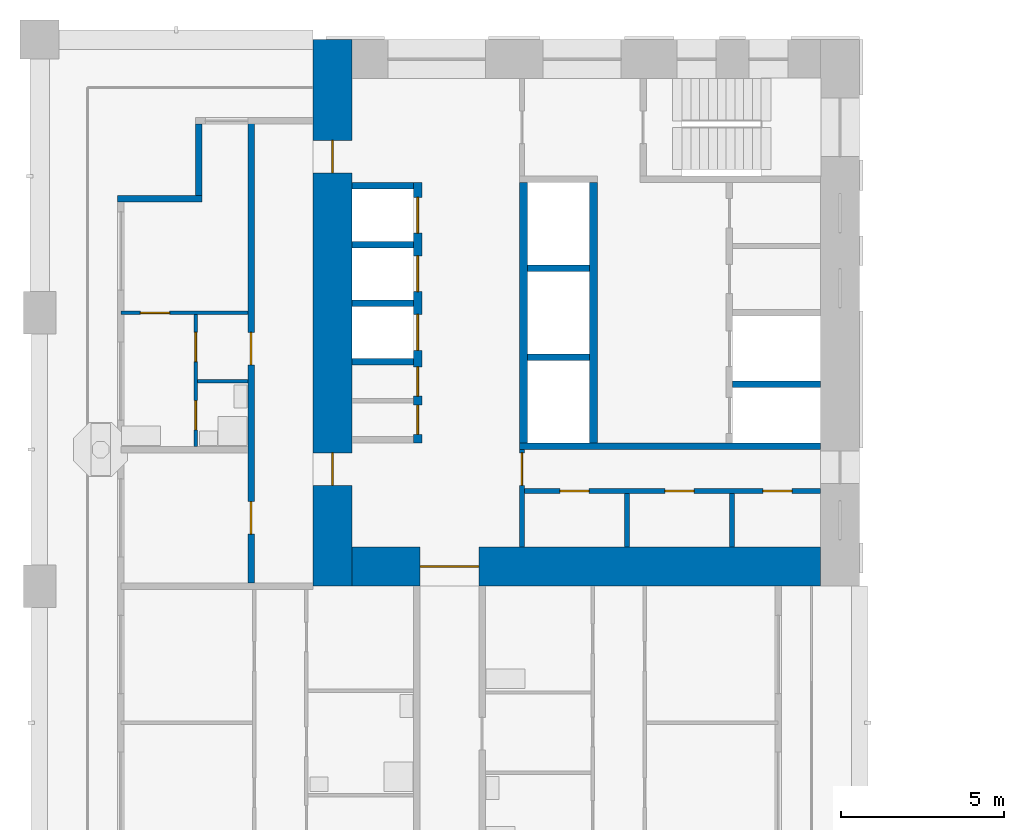
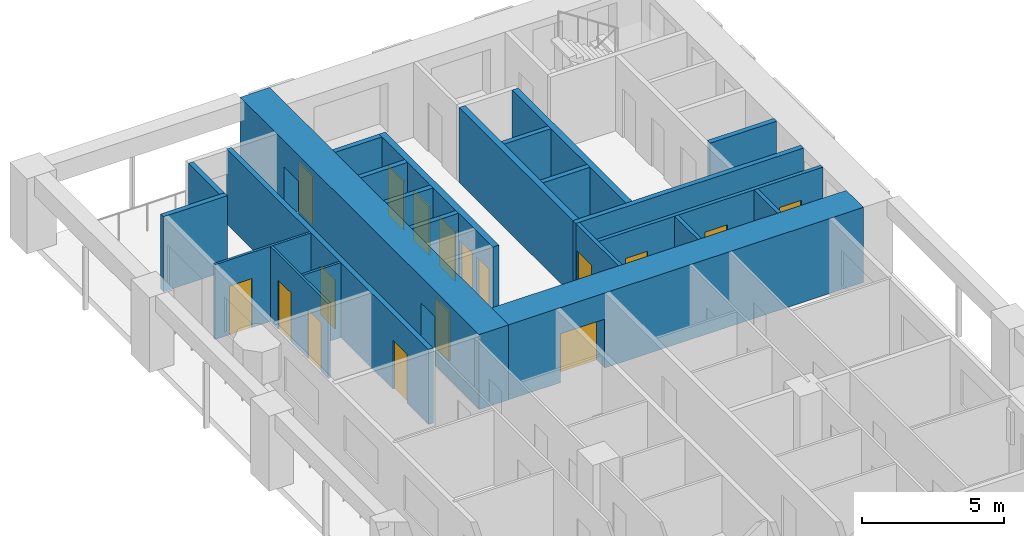
# One storey, part 7 of 19: 23 walls, 17 doors, 17 openings.
"""IFC4 building model written with IfcOpenShell, lengths in metres."""

from ifc_helpers import new_model, si_unit, direction, frame, frame_2d, origin, place, context, subcontext, project, spatial, rectangle, extrude, material, layer, layer_set, type_object, element, fill, save


model = new_model("IFC4")

# Units and contexts
model_context = context("Model", 3, precision=1e-05, world=origin(), true_north=direction((0.0, 1.0)))
body_context = subcontext(model_context, "Body", "Model", "MODEL_VIEW")
ifc_project = project(units=[si_unit("LENGTHUNIT", "METRE"), si_unit("AREAUNIT", "SQUARE_METRE"), si_unit("VOLUMEUNIT", "CUBIC_METRE"), si_unit("PLANEANGLEUNIT", "RADIAN"), si_unit("MASSUNIT", "GRAM", prefix="KILO")], contexts=[model_context])

# Site, building, storey
site_placement = place(None, origin())
site = spatial("IfcSite", under=ifc_project, at=site_placement, CompositionType="ELEMENT")
building_placement = place(site_placement, origin())
building = spatial("IfcBuilding", under=site, at=building_placement, Name="Vermilion Gate Residences", CompositionType="ELEMENT")
storey_placement = place(building_placement, frame((0.0, 0.0, 123.199951171875)))
storey = spatial("IfcBuildingStorey", under=building, at=storey_placement, Name="L31", CompositionType="ELEMENT", Elevation=123.199951171875)

# Wall, opening, door
ifc_material_1 = material(Name="Masonry blockwork", Category="masonry")
ifc_layer_1 = layer(ifc_material_1, 0.14990234375)
ifc_layer_set_1 = layer_set([ifc_layer_1], Name="BLOCKWORK PARTITION 150 EI 120")
wall_type_1 = type_object("IfcWallType", Name="BLOCKWORK PARTITION 150 EI 120", PredefinedType="PARTITIONING", material=ifc_layer_set_1)
wall_1_placement = place(storey_placement, frame((14.824951171875, 46.199951171875, 0.0), z_axis=(0.0, 0.0, 1.0), x_axis=(0.0, -1.0, 0.0)))
wall_1 = element("IfcWall", 1, at=wall_1_placement, inside=storey, type_object=wall_type_1, Name="Core room partition B31-ES-S", PredefinedType="PARTITIONING", context=body_context, shape_type="SweptSolid", body=[
    extrude(rectangle(XDim=3.0, YDim=0.14990234375, at=frame_2d((1.5, 0.0))), origin(), (0.0, 0.0, 1.0), 3.219970703125),
])
opening_1_placement = place(wall_1_placement, frame((0.10009765625, 0.0, 0.0)))
opening_1 = element("IfcOpeningElement", 2, at=opening_1_placement, cuts=wall_1, Name="Opening DK31115", PredefinedType="OPENING", context=body_context, shape_type="SweptSolid", body=[
    extrude(rectangle(XDim=1.0, YDim=2.10009765625, at=frame_2d((0.5, 1.050048828125))), frame((0.0, 0.0849609375, 0.0), z_axis=(0.0, -1.0, 0.0), x_axis=(1.0, 0.0, 0.0)), (0.0, 0.0, 1.0), 0.169921875),
])
ifc_material_2 = material(Name="Steel", Category="steel")
door_type_1 = type_object("IfcDoorType", Name="FIRE DOOR FD60 1000 X 2100", OperationType="SINGLE_SWING_LEFT", PredefinedType="DOOR", material=ifc_material_2)
door_1_placement = place(opening_1_placement, frame((1.0, 0.0, 0.0), z_axis=(0.0, 0.0, 1.0), x_axis=(-1.0, 0.0, 0.0)))
door_1 = element("IfcDoor", 3, at=door_1_placement, inside=storey, type_object=door_type_1, Name="Service corridor door B31", OperationType="SINGLE_SWING_LEFT", OverallHeight=2.10009765625, OverallWidth=1.0, PredefinedType="DOOR", context=body_context, shape_type="SweptSolid", body=[
    extrude(rectangle(XDim=1.0, YDim=2.10009765625, at=frame_2d((0.5, 1.050048828125))), frame((0.0, 0.02490234375, 0.0), z_axis=(0.0, -1.0, 0.0), x_axis=(1.0, 0.0, 0.0)), (0.0, 0.0, 1.0), 0.050048828125),
])
fill(opening_1, door_1)

# Walls
for number, where, z_axis, x_axis, name in (
    (4, (18.054931640625, 44.85009765625, 0.0), (0.0, 0.0, 1.0), (0.0, -1.0, 0.0), "Core room partition B31-ES-P0"),
    (5, (21.284912109375, 44.85009765625, 0.0), (0.0, 0.0, 1.0), (0.0, -1.0, 0.0), "Core room partition B31-ES-P1"),
):
    element("IfcWall", number, at=place(storey_placement, frame(where, z_axis=z_axis, x_axis=x_axis)), inside=storey, type_object=wall_type_1, Name=name, PredefinedType="PARTITIONING", context=body_context, shape_type="SweptSolid", body=[
        extrude(rectangle(XDim=1.650146484375, YDim=0.14990234375, at=frame_2d((0.8251953125, 0.0))), origin(), (0.0, 0.0, 1.0), 3.219970703125),
    ])

# Wall, openings, doors
wall_2_placement = place(storey_placement, frame((14.89990234375, 44.925048828125, 0.0), z_axis=(0.0, 0.0, 1.0), x_axis=(1.0, 0.0, 0.0)))
wall_2 = element("IfcWall", 6, at=wall_2_placement, inside=storey, type_object=wall_type_1, Name="Core room partition B31-ES-W", PredefinedType="PARTITIONING", context=body_context, shape_type="SweptSolid", body=[
    extrude(rectangle(XDim=9.10009765625, YDim=0.14990234375, at=frame_2d((4.550048828125, 0.0))), origin(), (0.0, 0.0, 1.0), 3.219970703125),
])
opening_2_placement = place(wall_2_placement, frame((1.090087890625, 0.0, 0.0)))
opening_2 = element("IfcOpeningElement", 7, at=opening_2_placement, cuts=wall_2, Name="Opening DK31116", PredefinedType="OPENING", context=body_context, shape_type="SweptSolid", body=[
    extrude(rectangle(XDim=0.89990234375, YDim=2.10009765625, at=frame_2d((0.449951171875, 1.050048828125))), frame((0.0, 0.0849609375, 0.0), z_axis=(0.0, -1.0, 0.0), x_axis=(1.0, 0.0, 0.0)), (0.0, 0.0, 1.0), 0.169921875),
])
opening_3_placement = place(wall_2_placement, frame((4.320068359375, 0.0, 0.0)))
opening_3 = element("IfcOpeningElement", 8, at=opening_3_placement, cuts=wall_2, Name="Opening DK31117", PredefinedType="OPENING", context=body_context, shape_type="SweptSolid", body=[
    extrude(rectangle(XDim=0.89990234375, YDim=2.10009765625, at=frame_2d((0.449951171875, 1.050048828125))), frame((0.0, 0.0849609375, 0.0), z_axis=(0.0, -1.0, 0.0), x_axis=(1.0, 0.0, 0.0)), (0.0, 0.0, 1.0), 0.169921875),
])
opening_4_placement = place(wall_2_placement, frame((7.330078125, 0.0, 0.0)))
opening_4 = element("IfcOpeningElement", 9, at=opening_4_placement, cuts=wall_2, Name="Opening DK31118", PredefinedType="OPENING", context=body_context, shape_type="SweptSolid", body=[
    extrude(rectangle(XDim=0.89990234375, YDim=2.10009765625, at=frame_2d((0.449951171875, 1.050048828125))), frame((0.0, 0.0849609375, 0.0), z_axis=(0.0, -1.0, 0.0), x_axis=(1.0, 0.0, 0.0)), (0.0, 0.0, 1.0), 0.169921875),
])
ifc_material_3 = material(Name="Steel", Category="steel")
door_type_2 = type_object("IfcDoorType", Name="SERVICE ROOM DOOR FD60 900 X 2100", OperationType="SINGLE_SWING_LEFT", PredefinedType="DOOR", material=ifc_material_3)
door_2_placement = place(opening_2_placement, frame((0.89990234375, 0.0, 0.0), z_axis=(0.0, 0.0, 1.0), x_axis=(-1.0, 0.0, 0.0)))
door_2 = element("IfcDoor", 10, at=door_2_placement, inside=storey, type_object=door_type_2, Name="Parcel room B31", OperationType="SINGLE_SWING_LEFT", OverallHeight=2.10009765625, OverallWidth=0.89990234375, PredefinedType="DOOR", context=body_context, shape_type="SweptSolid", body=[
    extrude(rectangle(XDim=0.89990234375, YDim=2.10009765625, at=frame_2d((0.449951171875, 1.050048828125))), frame((0.0, 0.02490234375, 0.0), z_axis=(0.0, -1.0, 0.0), x_axis=(1.0, 0.0, 0.0)), (0.0, 0.0, 1.0), 0.050048828125),
])
fill(opening_2, door_2)
door_3_placement = place(opening_3_placement, frame((0.89990234375, 0.0, 0.0), z_axis=(0.0, 0.0, 1.0), x_axis=(-1.0, 0.0, 0.0)))
door_3 = element("IfcDoor", 11, at=door_3_placement, inside=storey, type_object=door_type_2, Name="Cleaner's store B31", OperationType="SINGLE_SWING_RIGHT", OverallHeight=2.10009765625, OverallWidth=0.89990234375, PredefinedType="DOOR", context=body_context, shape_type="SweptSolid", body=[
    extrude(rectangle(XDim=0.89990234375, YDim=2.10009765625, at=frame_2d((0.449951171875, 1.050048828125))), frame((0.0, 0.02490234375, 0.0), z_axis=(0.0, -1.0, 0.0), x_axis=(1.0, 0.0, 0.0)), (0.0, 0.0, 1.0), 0.050048828125),
])
fill(opening_3, door_3)
door_4_placement = place(opening_4_placement, frame((0.89990234375, 0.0, 0.0), z_axis=(0.0, 0.0, 1.0), x_axis=(-1.0, 0.0, 0.0)))
door_4 = element("IfcDoor", 12, at=door_4_placement, inside=storey, type_object=door_type_2, Name="Electrical room B31", OperationType="SINGLE_SWING_LEFT", OverallHeight=2.10009765625, OverallWidth=0.89990234375, PredefinedType="DOOR", context=body_context, shape_type="SweptSolid", body=[
    extrude(rectangle(XDim=0.89990234375, YDim=2.10009765625, at=frame_2d((0.449951171875, 1.050048828125))), frame((0.0, 0.02490234375, 0.0), z_axis=(0.0, -1.0, 0.0), x_axis=(1.0, 0.0, 0.0)), (0.0, 0.0, 1.0), 0.050048828125),
])
fill(opening_4, door_4)

# Walls
ifc_material_4 = material(Name="Insulated steel stud wall with terracotta rainscreen", Category="masonry")
ifc_layer_2 = layer(ifc_material_4, 0.199951171875)
ifc_layer_set_2 = layer_set([ifc_layer_2], Name="EXTERNAL WALL 200 TERRACOTTA RAINSCREEN")
wall_type_2 = type_object("IfcWallType", Name="EXTERNAL WALL 200 TERRACOTTA RAINSCREEN", PredefinedType="SOLIDWALL", material=ifc_layer_set_2)
wall_3_placement = place(storey_placement, frame((4.89990234375, 56.199951171875, 0.0), z_axis=(0.0, 0.0, 1.0), x_axis=(0.0, -1.0, 0.0)))
element("IfcWall", 13, at=wall_3_placement, inside=storey, type_object=wall_type_2, Name="External wall", PredefinedType="SOLIDWALL", context=body_context, shape_type="SweptSolid", body=[
    extrude(rectangle(XDim=2.199951171875, YDim=0.199951171875, at=frame_2d((1.10009765625, 0.0))), origin(), (0.0, 0.0, 1.0), 3.219970703125),
])
wall_4_placement = place(storey_placement, frame((5.0, 53.89990234375, 0.0), z_axis=(0.0, 0.0, 1.0), x_axis=(-1.0, 0.0, 0.0)))
element("IfcWall", 14, at=wall_4_placement, inside=storey, type_object=wall_type_2, Name="External wall", PredefinedType="SOLIDWALL", context=body_context, shape_type="SweptSolid", body=[
    extrude(rectangle(XDim=2.60009765625, YDim=0.199951171875, at=frame_2d((1.300048828125, 0.0))), origin(), (0.0, 0.0, 1.0), 3.219970703125),
])
ifc_material_5 = material(Name="Plasterboard on steel studs", Category="steel")
ifc_layer_3 = layer(ifc_material_5, 0.10009765625)
ifc_layer_set_3 = layer_set([ifc_layer_3], Name="PARTITION 100")
wall_type_3 = type_object("IfcWallType", Name="PARTITION 100", PredefinedType="PARTITIONING", material=ifc_layer_set_3)
wall_5_placement = place(storey_placement, frame((4.85009765625, 48.300048828125, 0.0), z_axis=(0.0, 0.0, 1.0), x_axis=(1.0, 0.0, 0.0)))
element("IfcWall", 15, at=wall_5_placement, inside=storey, type_object=wall_type_3, Name="Partition", PredefinedType="PARTITIONING", context=body_context, shape_type="SweptSolid", body=[
    extrude(rectangle(XDim=1.5498046875, YDim=0.10009765625, at=frame_2d((0.77490234375, 0.0))), origin(), (0.0, 0.0, 1.0), 3.219970703125),
])

# Wall, opening, door
wall_6_placement = place(storey_placement, frame((2.5, 50.39990234375, 0.0), z_axis=(0.0, 0.0, 1.0), x_axis=(1.0, 0.0, 0.0)))
wall_6 = element("IfcWall", 16, at=wall_6_placement, inside=storey, type_object=wall_type_3, Name="Partition", PredefinedType="PARTITIONING", context=body_context, shape_type="SweptSolid", body=[
    extrude(rectangle(XDim=3.89990234375, YDim=0.10009765625, at=frame_2d((1.949951171875, 0.0))), origin(), (0.0, 0.0, 1.0), 3.219970703125),
])
opening_5_placement = place(wall_6_placement, frame((0.60009765625, 0.0, 0.0)))
opening_5 = element("IfcOpeningElement", 17, at=opening_5_placement, cuts=wall_6, Name="Opening DA30017", PredefinedType="OPENING", context=body_context, shape_type="SweptSolid", body=[
    extrude(rectangle(XDim=0.89990234375, YDim=2.10009765625, at=frame_2d((0.449951171875, 1.050048828125))), frame((0.0, 0.06005859375, 0.0), z_axis=(0.0, -1.0, 0.0), x_axis=(1.0, 0.0, 0.0)), (0.0, 0.0, 1.0), 0.1201171875),
])
ifc_material_6 = material(Name="Timber", Category="wood")
door_type_3 = type_object("IfcDoorType", Name="INTERIOR DOOR 900 X 2100", OperationType="SINGLE_SWING_LEFT", PredefinedType="DOOR", material=ifc_material_6)
door_5_placement = place(opening_5_placement, frame((0.89990234375, 0.0, 0.0), z_axis=(0.0, 0.0, 1.0), x_axis=(-1.0, 0.0, 0.0)))
door_5 = element("IfcDoor", 18, at=door_5_placement, inside=storey, type_object=door_type_3, Name="Interior door", OperationType="SINGLE_SWING_RIGHT", OverallHeight=2.10009765625, OverallWidth=0.89990234375, PredefinedType="DOOR", context=body_context, shape_type="SweptSolid", body=[
    extrude(rectangle(XDim=0.89990234375, YDim=2.10009765625, at=frame_2d((0.449951171875, 1.050048828125))), frame((0.0, 0.02490234375, 0.0), z_axis=(0.0, -1.0, 0.0), x_axis=(1.0, 0.0, 0.0)), (0.0, 0.0, 1.0), 0.050048828125),
])
fill(opening_5, door_5)

# Wall, openings, doors
wall_7_placement = place(storey_placement, frame((4.800048828125, 46.300048828125, 0.0), z_axis=(0.0, 0.0, 1.0), x_axis=(0.0, 1.0, 0.0)))
wall_7 = element("IfcWall", 19, at=wall_7_placement, inside=storey, type_object=wall_type_3, Name="Partition", PredefinedType="PARTITIONING", context=body_context, shape_type="SweptSolid", body=[
    extrude(rectangle(XDim=4.050048828125, YDim=0.10009765625, at=frame_2d((2.02490234375, 0.0))), origin(), (0.0, 0.0, 1.0), 3.219970703125),
])
opening_6_placement = place(wall_7_placement, frame((2.60009765625, 0.0, 0.0)))
opening_6 = element("IfcOpeningElement", 20, at=opening_6_placement, cuts=wall_7, Name="Opening DA30018", PredefinedType="OPENING", context=body_context, shape_type="SweptSolid", body=[
    extrude(rectangle(XDim=0.89990234375, YDim=2.10009765625, at=frame_2d((0.449951171875, 1.050048828125))), frame((0.0, 0.06005859375, 0.0), z_axis=(0.0, -1.0, 0.0), x_axis=(1.0, 0.0, 0.0)), (0.0, 0.0, 1.0), 0.1201171875),
])
opening_7_placement = place(wall_7_placement, frame((0.5, 0.0, 0.0)))
opening_7 = element("IfcOpeningElement", 21, at=opening_7_placement, cuts=wall_7, Name="Opening DA30019", PredefinedType="OPENING", context=body_context, shape_type="SweptSolid", body=[
    extrude(rectangle(XDim=0.89990234375, YDim=2.10009765625, at=frame_2d((0.449951171875, 1.050048828125))), frame((0.0, 0.06005859375, 0.0), z_axis=(0.0, -1.0, 0.0), x_axis=(1.0, 0.0, 0.0)), (0.0, 0.0, 1.0), 0.1201171875),
])
door_6_placement = place(opening_6_placement, origin())
door_6 = element("IfcDoor", 22, at=door_6_placement, inside=storey, type_object=door_type_3, Name="Interior door", OperationType="SINGLE_SWING_RIGHT", OverallHeight=2.10009765625, OverallWidth=0.89990234375, PredefinedType="DOOR", context=body_context, shape_type="SweptSolid", body=[
    extrude(rectangle(XDim=0.89990234375, YDim=2.10009765625, at=frame_2d((0.449951171875, 1.050048828125))), frame((0.0, 0.02490234375, 0.0), z_axis=(0.0, -1.0, 0.0), x_axis=(1.0, 0.0, 0.0)), (0.0, 0.0, 1.0), 0.050048828125),
])
fill(opening_6, door_6)
door_7_placement = place(opening_7_placement, frame((0.89990234375, 0.0, 0.0), z_axis=(0.0, 0.0, 1.0), x_axis=(-1.0, 0.0, 0.0)))
door_7 = element("IfcDoor", 23, at=door_7_placement, inside=storey, type_object=door_type_3, Name="Interior door", OperationType="SINGLE_SWING_RIGHT", OverallHeight=2.10009765625, OverallWidth=0.89990234375, PredefinedType="DOOR", context=body_context, shape_type="SweptSolid", body=[
    extrude(rectangle(XDim=0.89990234375, YDim=2.10009765625, at=frame_2d((0.449951171875, 1.050048828125))), frame((0.0, 0.02490234375, 0.0), z_axis=(0.0, -1.0, 0.0), x_axis=(1.0, 0.0, 0.0)), (0.0, 0.0, 1.0), 0.050048828125),
])
fill(opening_7, door_7)

ifc_material_7 = material(Name="Fire-rated plasterboard on steel studs", Category="steel")
ifc_layer_4 = layer(ifc_material_7, 0.199951171875)
ifc_layer_set_4 = layer_set([ifc_layer_4], Name="PARTY WALL 200 EI 120")
wall_type_4 = type_object("IfcWallType", Name="PARTY WALL 200 EI 120", PredefinedType="PARTITIONING", material=ifc_layer_set_4)
wall_8_placement = place(storey_placement, frame((6.5, 42.10009765625, 0.0), z_axis=(0.0, 0.0, 1.0), x_axis=(0.0, 1.0, 0.0)))
wall_8 = element("IfcWall", 24, at=wall_8_placement, inside=storey, type_object=wall_type_4, Name="Party and corridor wall", PredefinedType="PARTITIONING", context=body_context, shape_type="SweptSolid", body=[
    extrude(rectangle(XDim=14.199951171875, YDim=0.199951171875, at=frame_2d((7.10009765625, 0.0))), origin(), (0.0, 0.0, 1.0), 3.219970703125),
])
opening_8_placement = place(wall_8_placement, frame((1.5, 0.0, 0.0)))
opening_8 = element("IfcOpeningElement", 25, at=opening_8_placement, cuts=wall_8, Name="Opening DA30020", PredefinedType="OPENING", context=body_context, shape_type="SweptSolid", body=[
    extrude(rectangle(XDim=1.0, YDim=2.10009765625, at=frame_2d((0.5, 1.050048828125))), frame((0.0, 0.10986328125, 0.0), z_axis=(0.0, -1.0, 0.0), x_axis=(1.0, 0.0, 0.0)), (0.0, 0.0, 1.0), 0.219970703125),
])
opening_9_placement = place(wall_8_placement, frame((6.699951171875, 0.0, 0.0)))
opening_9 = element("IfcOpeningElement", 26, at=opening_9_placement, cuts=wall_8, Name="Opening DA30021", PredefinedType="OPENING", context=body_context, shape_type="SweptSolid", body=[
    extrude(rectangle(XDim=1.0, YDim=2.10009765625, at=frame_2d((0.5, 1.050048828125))), frame((0.0, 0.10986328125, 0.0), z_axis=(0.0, -1.0, 0.0), x_axis=(1.0, 0.0, 0.0)), (0.0, 0.0, 1.0), 0.219970703125),
])
ifc_material_8 = material(Name="Steel", Category="steel")
door_type_4 = type_object("IfcDoorType", Name="ENTRANCE DOOR 1000 X 2100 FD30", OperationType="SINGLE_SWING_LEFT", PredefinedType="DOOR", material=ifc_material_8)
door_8_placement = place(opening_8_placement, origin())
door_8 = element("IfcDoor", 27, at=door_8_placement, inside=storey, type_object=door_type_4, Name="Entrance door", OperationType="SINGLE_SWING_LEFT", OverallHeight=2.10009765625, OverallWidth=1.0, PredefinedType="DOOR", context=body_context, shape_type="SweptSolid", body=[
    extrude(rectangle(XDim=1.0, YDim=2.10009765625, at=frame_2d((0.5, 1.050048828125))), frame((0.0, 0.02490234375, 0.0), z_axis=(0.0, -1.0, 0.0), x_axis=(1.0, 0.0, 0.0)), (0.0, 0.0, 1.0), 0.050048828125),
])
fill(opening_8, door_8)
door_9_placement = place(opening_9_placement, origin())
door_9 = element("IfcDoor", 28, at=door_9_placement, inside=storey, type_object=door_type_4, Name="Entrance door", OperationType="SINGLE_SWING_LEFT", OverallHeight=2.10009765625, OverallWidth=1.0, PredefinedType="DOOR", context=body_context, shape_type="SweptSolid", body=[
    extrude(rectangle(XDim=1.0, YDim=2.10009765625, at=frame_2d((0.5, 1.050048828125))), frame((0.0, 0.02490234375, 0.0), z_axis=(0.0, -1.0, 0.0), x_axis=(1.0, 0.0, 0.0)), (0.0, 0.0, 1.0), 0.050048828125),
])
fill(opening_9, door_9)

# Walls
ifc_material_9 = material(Name="Concrete C60", Category="concrete")
ifc_layer_5 = layer(ifc_material_9, 0.199951171875)
ifc_layer_set_5 = layer_set([ifc_layer_5], Name="RC CORE INTERNAL WALL 200 C60")
wall_type_5 = type_object("IfcWallType", Name="RC CORE INTERNAL WALL 200 C60", PredefinedType="SHEAR", material=ifc_layer_set_5)
for number, where, z_axis, x_axis, name in (
    (29, (9.60009765625, 54.300048828125, 0.0), (0.0, 0.0, 1.0), (1.0, 0.0, 0.0), "Core internal wall B31-LR-D0"),
    (30, (9.60009765625, 52.5, 0.0), (0.0, 0.0, 1.0), (1.0, 0.0, 0.0), "Core internal wall B31-LR-D1"),
    (31, (9.60009765625, 50.699951171875, 0.0), (0.0, 0.0, 1.0), (1.0, 0.0, 0.0), "Core internal wall B31-LR-D2"),
    (32, (9.60009765625, 48.89990234375, 0.0), (0.0, 0.0, 1.0), (1.0, 0.0, 0.0), "Core internal wall B31-LR-D3"),
    (33, (15.0, 51.7666015625, 0.0), (0.0, 0.0, 1.0), (1.0, 0.0, 0.0), "Core internal wall B31-HR-D1"),
    (34, (15.0, 49.033447265625, 0.0), (0.0, 0.0, 1.0), (1.0, 0.0, 0.0), "Core internal wall B31-HR-D2"),
):
    element("IfcWall", number, at=place(storey_placement, frame(where, z_axis=z_axis, x_axis=x_axis)), inside=storey, type_object=wall_type_5, Name=name, PredefinedType="SHEAR", context=body_context, shape_type="SweptSolid", body=[
        extrude(rectangle(XDim=1.89990234375, YDim=0.199951171875, at=frame_2d((0.949951171875, 0.0))), origin(), (0.0, 0.0, 1.0), 3.219970703125),
    ])
wall_9_placement = place(storey_placement, frame((21.300048828125, 48.199951171875, 0.0), z_axis=(0.0, 0.0, 1.0), x_axis=(1.0, 0.0, 0.0)))
element("IfcWall", 35, at=wall_9_placement, inside=storey, type_object=wall_type_5, Name="Core internal wall B31-FF-D1", PredefinedType="SHEAR", context=body_context, shape_type="SweptSolid", body=[
    extrude(rectangle(XDim=2.699951171875, YDim=0.199951171875, at=frame_2d((1.35009765625, 0.0))), origin(), (0.0, 0.0, 1.0), 3.219970703125),
])
wall_10_placement = place(storey_placement, frame((14.75, 46.300048828125, 0.0), z_axis=(0.0, 0.0, 1.0), x_axis=(1.0, 0.0, 0.0)))
element("IfcWall", 36, at=wall_10_placement, inside=storey, type_object=wall_type_5, Name="Core internal wall B31-EDIV", PredefinedType="SHEAR", context=body_context, shape_type="SweptSolid", body=[
    extrude(rectangle(XDim=9.25, YDim=0.199951171875, at=frame_2d((4.625, 0.0))), origin(), (0.0, 0.0, 1.0), 3.219970703125),
])

# Wall, openings, doors
ifc_material_10 = material(Name="Concrete C70", Category="concrete")
ifc_layer_6 = layer(ifc_material_10, 1.199951171875)
ifc_layer_set_6 = layer_set([ifc_layer_6], Name="RC CORE WALL 1200 C70")
wall_type_6 = type_object("IfcWallType", Name="RC CORE WALL 1200 C70", PredefinedType="SHEAR", material=ifc_layer_set_6)
wall_11_placement = place(storey_placement, frame((9.0, 58.800048828125, 0.0), z_axis=(0.0, 0.0, 1.0), x_axis=(0.0, -1.0, 0.0)))
wall_11 = element("IfcWall", 37, at=wall_11_placement, inside=storey, type_object=wall_type_6, Name="Core wall B31-OUT-B0", PredefinedType="SHEAR", context=body_context, shape_type="SweptSolid", body=[
    extrude(rectangle(XDim=16.800048828125, YDim=1.199951171875, at=frame_2d((8.39990234375, 0.0))), origin(), (0.0, 0.0, 1.0), 3.219970703125),
])
opening_10_placement = place(wall_11_placement, frame((3.10009765625, 0.0, 0.0)))
opening_10 = element("IfcOpeningElement", 38, at=opening_10_placement, cuts=wall_11, Name="Opening DK31101", PredefinedType="OPENING", context=body_context, shape_type="SweptSolid", body=[
    extrude(rectangle(XDim=1.0, YDim=2.10009765625, at=frame_2d((0.5, 1.050048828125))), frame((0.0, 0.60986328125, 0.0), z_axis=(0.0, -1.0, 0.0), x_axis=(1.0, 0.0, 0.0)), (0.0, 0.0, 1.0), 1.219970703125),
])
opening_11_placement = place(wall_11_placement, frame((12.699951171875, 0.0, 0.0)))
opening_11 = element("IfcOpeningElement", 39, at=opening_11_placement, cuts=wall_11, Name="Opening DK31102", PredefinedType="OPENING", context=body_context, shape_type="SweptSolid", body=[
    extrude(rectangle(XDim=1.0, YDim=2.10009765625, at=frame_2d((0.5, 1.050048828125))), frame((0.0, 0.60986328125, 0.0), z_axis=(0.0, -1.0, 0.0), x_axis=(1.0, 0.0, 0.0)), (0.0, 0.0, 1.0), 1.219970703125),
])
door_10_placement = place(opening_10_placement, origin())
door_10 = element("IfcDoor", 40, at=door_10_placement, inside=storey, type_object=door_type_1, Name="Core lobby side door B31", OperationType="SINGLE_SWING_RIGHT", OverallHeight=2.10009765625, OverallWidth=1.0, PredefinedType="DOOR", context=body_context, shape_type="SweptSolid", body=[
    extrude(rectangle(XDim=1.0, YDim=2.10009765625, at=frame_2d((0.5, 1.050048828125))), frame((0.0, 0.02490234375, 0.0), z_axis=(0.0, -1.0, 0.0), x_axis=(1.0, 0.0, 0.0)), (0.0, 0.0, 1.0), 0.050048828125),
])
fill(opening_10, door_10)
door_11_placement = place(opening_11_placement, origin())
door_11 = element("IfcDoor", 41, at=door_11_placement, inside=storey, type_object=door_type_1, Name="Core lobby side door B31", OperationType="SINGLE_SWING_LEFT", OverallHeight=2.10009765625, OverallWidth=1.0, PredefinedType="DOOR", context=body_context, shape_type="SweptSolid", body=[
    extrude(rectangle(XDim=1.0, YDim=2.10009765625, at=frame_2d((0.5, 1.050048828125))), frame((0.0, 0.02490234375, 0.0), z_axis=(0.0, -1.0, 0.0), x_axis=(1.0, 0.0, 0.0)), (0.0, 0.0, 1.0), 0.050048828125),
])
fill(opening_11, door_11)

# Wall, opening, door
wall_12_placement = place(storey_placement, frame((9.60009765625, 42.60009765625, 0.0), z_axis=(0.0, 0.0, 1.0), x_axis=(1.0, 0.0, 0.0)))
wall_12 = element("IfcWall", 42, at=wall_12_placement, inside=storey, type_object=wall_type_6, Name="Core wall B31-OUT-BK", PredefinedType="SHEAR", context=body_context, shape_type="SweptSolid", body=[
    extrude(rectangle(XDim=14.39990234375, YDim=1.199951171875, at=frame_2d((7.199951171875, 0.0))), origin(), (0.0, 0.0, 1.0), 3.219970703125),
])
opening_12_placement = place(wall_12_placement, frame((2.10009765625, 0.0, 0.0)))
opening_12 = element("IfcOpeningElement", 43, at=opening_12_placement, cuts=wall_12, Name="Opening DK31103", PredefinedType="OPENING", context=body_context, shape_type="SweptSolid", body=[
    extrude(rectangle(XDim=1.800048828125, YDim=2.10009765625, at=frame_2d((0.89990234375, 1.050048828125))), frame((0.0, 0.60986328125, 0.0), z_axis=(0.0, -1.0, 0.0), x_axis=(1.0, 0.0, 0.0)), (0.0, 0.0, 1.0), 1.219970703125),
])
ifc_material_11 = material(Name="Steel", Category="steel")
door_type_5 = type_object("IfcDoorType", Name="CORE LOBBY DOOR FD60 1800 X 2100", OperationType="DOUBLE_DOOR_SINGLE_SWING", PredefinedType="DOOR", material=ifc_material_11)
door_12_placement = place(opening_12_placement, origin())
door_12 = element("IfcDoor", 44, at=door_12_placement, inside=storey, type_object=door_type_5, Name="Core lobby door B31", OperationType="DOUBLE_DOOR_SINGLE_SWING", OverallHeight=2.10009765625, OverallWidth=1.800048828125, PredefinedType="DOOR", context=body_context, shape_type="SweptSolid", body=[
    extrude(rectangle(XDim=1.800048828125, YDim=2.10009765625, at=frame_2d((0.89990234375, 1.050048828125))), frame((0.0, 0.02490234375, 0.0), z_axis=(0.0, -1.0, 0.0), x_axis=(1.0, 0.0, 0.0)), (0.0, 0.0, 1.0), 0.050048828125),
])
fill(opening_12, door_12)

# Wall, openings, doors
ifc_material_12 = material(Name="Concrete C60", Category="concrete")
ifc_layer_7 = layer(ifc_material_12, 0.25)
ifc_layer_set_7 = layer_set([ifc_layer_7], Name="RC LIFT SHAFT WALL 250 C60")
wall_type_7 = type_object("IfcWallType", Name="RC LIFT SHAFT WALL 250 C60", PredefinedType="SHEAR", material=ifc_layer_set_7)
wall_13_placement = place(storey_placement, frame((11.625, 54.39990234375, 0.0), z_axis=(0.0, 0.0, 1.0), x_axis=(0.0, -1.0, 0.0)))
wall_13 = element("IfcWall", 45, at=wall_13_placement, inside=storey, type_object=wall_type_7, Name="Lift shaft wall B31-LR-F", PredefinedType="SHEAR", context=body_context, shape_type="SweptSolid", body=[
    extrude(rectangle(XDim=8.0, YDim=0.25, at=frame_2d((4.0, 0.0))), origin(), (0.0, 0.0, 1.0), 3.219970703125),
])
opening_13_placement = place(wall_13_placement, frame((0.449951171875, 0.0, 0.0)))
opening_13 = element("IfcOpeningElement", 46, at=opening_13_placement, cuts=wall_13, Name="Opening LD", PredefinedType="OPENING", context=body_context, shape_type="SweptSolid", body=[
    extrude(rectangle(XDim=1.10009765625, YDim=2.10009765625, at=frame_2d((0.550048828125, 1.050048828125))), frame((0.0, 0.135009765625, 0.0), z_axis=(0.0, -1.0, 0.0), x_axis=(1.0, 0.0, 0.0)), (0.0, 0.0, 1.0), 0.27001953125),
])
opening_14_placement = place(wall_13_placement, frame((2.25, 0.0, 0.0)))
opening_14 = element("IfcOpeningElement", 47, at=opening_14_placement, cuts=wall_13, Name="Opening LD", PredefinedType="OPENING", context=body_context, shape_type="SweptSolid", body=[
    extrude(rectangle(XDim=1.10009765625, YDim=2.10009765625, at=frame_2d((0.550048828125, 1.050048828125))), frame((0.0, 0.135009765625, 0.0), z_axis=(0.0, -1.0, 0.0), x_axis=(1.0, 0.0, 0.0)), (0.0, 0.0, 1.0), 0.27001953125),
])
opening_15_placement = place(wall_13_placement, frame((4.050048828125, 0.0, 0.0)))
opening_15 = element("IfcOpeningElement", 48, at=opening_15_placement, cuts=wall_13, Name="Opening LD", PredefinedType="OPENING", context=body_context, shape_type="SweptSolid", body=[
    extrude(rectangle(XDim=1.10009765625, YDim=2.10009765625, at=frame_2d((0.550048828125, 1.050048828125))), frame((0.0, 0.135009765625, 0.0), z_axis=(0.0, -1.0, 0.0), x_axis=(1.0, 0.0, 0.0)), (0.0, 0.0, 1.0), 0.27001953125),
])
opening_16_placement = place(wall_13_placement, frame((5.66259765625, 0.0, 0.0)))
opening_16 = element("IfcOpeningElement", 49, at=opening_16_placement, cuts=wall_13, Name="Opening DK31107", PredefinedType="OPENING", context=body_context, shape_type="SweptSolid", body=[
    extrude(rectangle(XDim=0.89990234375, YDim=2.10009765625, at=frame_2d((0.449951171875, 1.050048828125))), frame((0.0, 0.135009765625, 0.0), z_axis=(0.0, -1.0, 0.0), x_axis=(1.0, 0.0, 0.0)), (0.0, 0.0, 1.0), 0.27001953125),
])
opening_17_placement = place(wall_13_placement, frame((6.83740234375, 0.0, 0.0)))
opening_17 = element("IfcOpeningElement", 50, at=opening_17_placement, cuts=wall_13, Name="Opening DK31108", PredefinedType="OPENING", context=body_context, shape_type="SweptSolid", body=[
    extrude(rectangle(XDim=0.89990234375, YDim=2.10009765625, at=frame_2d((0.449951171875, 1.050048828125))), frame((0.0, 0.135009765625, 0.0), z_axis=(0.0, -1.0, 0.0), x_axis=(1.0, 0.0, 0.0)), (0.0, 0.0, 1.0), 0.27001953125),
])
ifc_material_13 = material(Name="Stainless steel", Category="steel")
door_type_6 = type_object("IfcDoorType", Name="LIFT LANDING DOOR E60 1100 X 2100", OperationType="DOUBLE_DOOR_SLIDING", PredefinedType="DOOR", material=ifc_material_13)
door_13_placement = place(opening_13_placement, origin())
door_13 = element("IfcDoor", 51, at=door_13_placement, inside=storey, type_object=door_type_6, Name="Lift landing door LRB1", OperationType="DOUBLE_DOOR_SLIDING", OverallHeight=2.10009765625, OverallWidth=1.10009765625, PredefinedType="DOOR", context=body_context, shape_type="SweptSolid", body=[
    extrude(rectangle(XDim=1.10009765625, YDim=2.10009765625, at=frame_2d((0.550048828125, 1.050048828125))), frame((0.0, 0.02490234375, 0.0), z_axis=(0.0, -1.0, 0.0), x_axis=(1.0, 0.0, 0.0)), (0.0, 0.0, 1.0), 0.050048828125),
])
fill(opening_13, door_13)
door_14_placement = place(opening_14_placement, origin())
door_14 = element("IfcDoor", 52, at=door_14_placement, inside=storey, type_object=door_type_6, Name="Lift landing door LRB2", OperationType="DOUBLE_DOOR_SLIDING", OverallHeight=2.10009765625, OverallWidth=1.10009765625, PredefinedType="DOOR", context=body_context, shape_type="SweptSolid", body=[
    extrude(rectangle(XDim=1.10009765625, YDim=2.10009765625, at=frame_2d((0.550048828125, 1.050048828125))), frame((0.0, 0.02490234375, 0.0), z_axis=(0.0, -1.0, 0.0), x_axis=(1.0, 0.0, 0.0)), (0.0, 0.0, 1.0), 0.050048828125),
])
fill(opening_14, door_14)
door_15_placement = place(opening_15_placement, origin())
door_15 = element("IfcDoor", 53, at=door_15_placement, inside=storey, type_object=door_type_6, Name="Lift landing door LRB3", OperationType="DOUBLE_DOOR_SLIDING", OverallHeight=2.10009765625, OverallWidth=1.10009765625, PredefinedType="DOOR", context=body_context, shape_type="SweptSolid", body=[
    extrude(rectangle(XDim=1.10009765625, YDim=2.10009765625, at=frame_2d((0.550048828125, 1.050048828125))), frame((0.0, 0.02490234375, 0.0), z_axis=(0.0, -1.0, 0.0), x_axis=(1.0, 0.0, 0.0)), (0.0, 0.0, 1.0), 0.050048828125),
])
fill(opening_15, door_15)
door_16_placement = place(opening_16_placement, frame((0.89990234375, 0.0, 0.0), z_axis=(0.0, 0.0, 1.0), x_axis=(-1.0, 0.0, 0.0)))
door_16 = element("IfcDoor", 54, at=door_16_placement, inside=storey, type_object=door_type_2, Name="Refuse room B31", OperationType="SINGLE_SWING_LEFT", OverallHeight=2.10009765625, OverallWidth=0.89990234375, PredefinedType="DOOR", context=body_context, shape_type="SweptSolid", body=[
    extrude(rectangle(XDim=0.89990234375, YDim=2.10009765625, at=frame_2d((0.449951171875, 1.050048828125))), frame((0.0, 0.02490234375, 0.0), z_axis=(0.0, -1.0, 0.0), x_axis=(1.0, 0.0, 0.0)), (0.0, 0.0, 1.0), 0.050048828125),
])
fill(opening_16, door_16)
door_17_placement = place(opening_17_placement, frame((0.89990234375, 0.0, 0.0), z_axis=(0.0, 0.0, 1.0), x_axis=(-1.0, 0.0, 0.0)))
door_17 = element("IfcDoor", 55, at=door_17_placement, inside=storey, type_object=door_type_2, Name="Parcel room B31", OperationType="SINGLE_SWING_LEFT", OverallHeight=2.10009765625, OverallWidth=0.89990234375, PredefinedType="DOOR", context=body_context, shape_type="SweptSolid", body=[
    extrude(rectangle(XDim=0.89990234375, YDim=2.10009765625, at=frame_2d((0.449951171875, 1.050048828125))), frame((0.0, 0.02490234375, 0.0), z_axis=(0.0, -1.0, 0.0), x_axis=(1.0, 0.0, 0.0)), (0.0, 0.0, 1.0), 0.050048828125),
])
fill(opening_17, door_17)

# Walls
for number, where, z_axis, x_axis, name in (
    (56, (14.875, 54.39990234375, 0.0), (0.0, 0.0, 1.0), (0.0, -1.0, 0.0), "Lift shaft wall B31-HR-F"),
    (57, (17.02490234375, 54.39990234375, 0.0), (0.0, 0.0, 1.0), (0.0, -1.0, 0.0), "Lift shaft wall B31-HR-B"),
):
    element("IfcWall", number, at=place(storey_placement, frame(where, z_axis=z_axis, x_axis=x_axis)), inside=storey, type_object=wall_type_7, Name=name, PredefinedType="SHEAR", context=body_context, shape_type="SweptSolid", body=[
        extrude(rectangle(XDim=8.0, YDim=0.25, at=frame_2d((4.0, 0.0))), origin(), (0.0, 0.0, 1.0), 3.219970703125),
    ])

save(model, "model.ifc")
